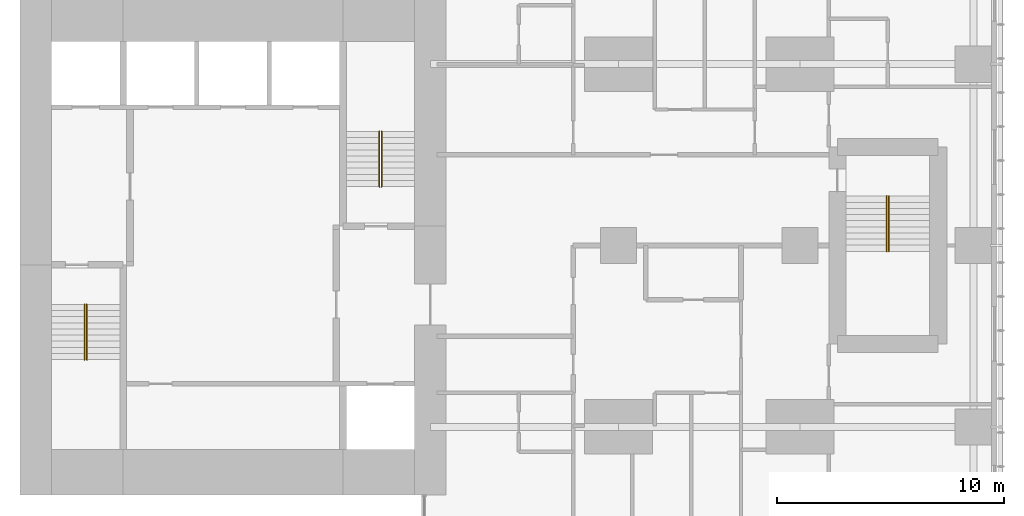
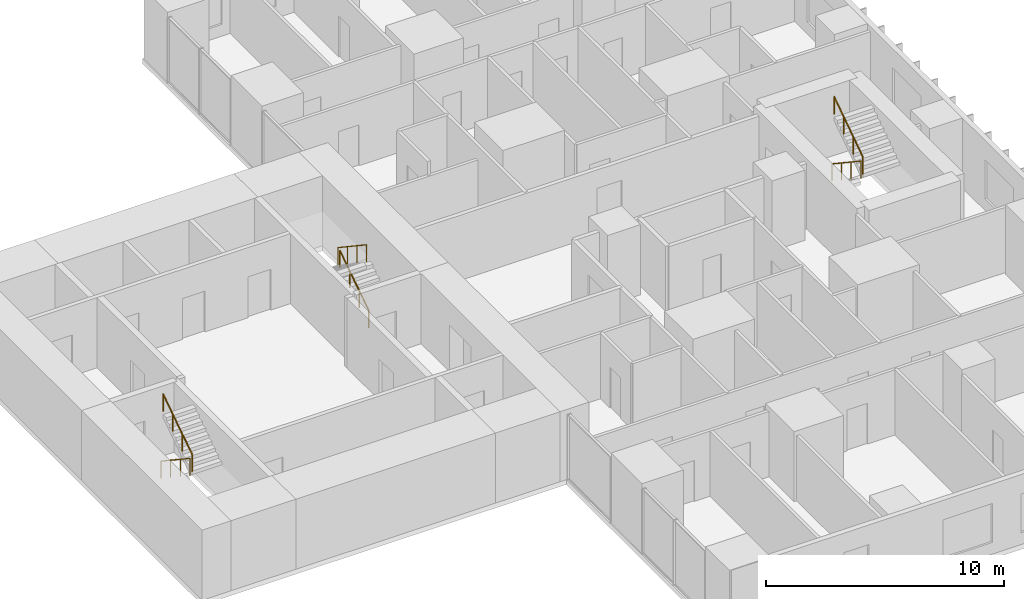
# One storey, part 12 of 12: 6 railings.
"""IFC4 building model written with IfcOpenShell, lengths in metres."""

from ifc_helpers import new_model, si_unit, direction, frame, origin, origin_2d, place, context, subcontext, project, spatial, circle, extrude, material, type_object, element, save


model = new_model("IFC4")

# Units and contexts
model_context = context("Model", 3, precision=1e-05, world=origin(), true_north=direction((0.0, 1.0)))
body_context = subcontext(model_context, "Body", "Model", "MODEL_VIEW")
ifc_project = project(units=[si_unit("LENGTHUNIT", "METRE"), si_unit("AREAUNIT", "SQUARE_METRE"), si_unit("VOLUMEUNIT", "CUBIC_METRE"), si_unit("PLANEANGLEUNIT", "RADIAN"), si_unit("MASSUNIT", "GRAM", prefix="KILO")], contexts=[model_context])

# Site, building, storey
site_placement = place(None, origin())
site = spatial("IfcSite", under=ifc_project, at=site_placement, CompositionType="ELEMENT")
building_placement = place(site_placement, origin())
building = spatial("IfcBuilding", under=site, at=building_placement, Name="Cleftline Residences", CompositionType="ELEMENT")
storey_placement = place(building_placement, frame((0.0, 0.0, 234.0)))
storey = spatial("IfcBuildingStorey", under=building, at=storey_placement, Name="L61", CompositionType="ELEMENT", Elevation=234.0)

# Railings
ifc_material = material(Name="Stainless steel", Category="steel")
railing_type = type_object("IfcRailingType", Name="HANDRAIL 900", PredefinedType="HANDRAIL", material=ifc_material)
railing_1_placement = place(storey_placement, frame((26.449951171875, 21.39990234375, 0.179931640625)))
element("IfcRailing", 1, at=railing_1_placement, inside=storey, type_object=railing_type, Name="Stair handrail", PredefinedType="HANDRAIL", context=body_context, shape_type="SweptSolid", body=[
    extrude(circle(Radius=0.02392578125, at=origin_2d()), frame((0.0, 0.0, 0.8759765625), z_axis=(0.0, -0.832024571796, 0.554738778101), x_axis=(1.0, 0.0, 0.0)), (0.0, 0.0, 1.0), 2.92041015625),
    extrude(circle(Radius=0.02099609375, at=origin_2d()), origin(), (0.0, 0.0, 1.0), 0.851806640625),
    extrude(circle(Radius=0.02099609375, at=origin_2d()), frame((0.0, -0.81005859375, 0.5400390625)), (0.0, 0.0, 1.0), 0.851806640625),
    extrude(circle(Radius=0.02099609375, at=origin_2d()), frame((0.0, -1.619873046875, 1.080078125)), (0.0, 0.0, 1.0), 0.851806640625),
    extrude(circle(Radius=0.02099609375, at=origin_2d()), frame((0.0, -2.429931640625, 1.6201171875)), (0.0, 0.0, 1.0), 0.851806640625),
])
for number, where, name in (
    (2, (26.550048828125, 18.969970703125, 1.97998046875), "Stair handrail"),
    (3, (39.550048828125, 26.60009765625, 0.179931640625), "Stair handrail"),
):
    element("IfcRailing", number, at=place(storey_placement, frame(where)), inside=storey, type_object=railing_type, Name=name, PredefinedType="HANDRAIL", context=body_context, shape_type="SweptSolid", body=[
        extrude(circle(Radius=0.02392578125, at=origin_2d()), frame((0.0, 0.0, 0.8759765625), z_axis=(0.0, 0.832024571796, 0.554738778101), x_axis=(-1.0, 0.0, 0.0)), (0.0, 0.0, 1.0), 2.92041015625),
        extrude(circle(Radius=0.02099609375, at=origin_2d()), origin(), (0.0, 0.0, 1.0), 0.851806640625),
        extrude(circle(Radius=0.02099609375, at=origin_2d()), frame((0.0, 0.81005859375, 0.5400390625)), (0.0, 0.0, 1.0), 0.851806640625),
        extrude(circle(Radius=0.02099609375, at=origin_2d()), frame((0.0, 1.619873046875, 1.080078125)), (0.0, 0.0, 1.0), 0.851806640625),
        extrude(circle(Radius=0.02099609375, at=origin_2d()), frame((0.0, 2.429931640625, 1.6201171875)), (0.0, 0.0, 1.0), 0.851806640625),
    ])
for number, where, name in (
    (4, (39.449951171875, 29.030029296875, 1.97998046875), "Stair handrail"),
    (5, (61.824951171875, 26.175048828125, 0.179931640625), "Stair handrail"),
):
    element("IfcRailing", number, at=place(storey_placement, frame(where)), inside=storey, type_object=railing_type, Name=name, PredefinedType="HANDRAIL", context=body_context, shape_type="SweptSolid", body=[
        extrude(circle(Radius=0.02392578125, at=origin_2d()), frame((0.0, 0.0, 0.8759765625), z_axis=(0.0, -0.832024571796, 0.554738778101), x_axis=(1.0, 0.0, 0.0)), (0.0, 0.0, 1.0), 2.92041015625),
        extrude(circle(Radius=0.02099609375, at=origin_2d()), origin(), (0.0, 0.0, 1.0), 0.851806640625),
        extrude(circle(Radius=0.02099609375, at=origin_2d()), frame((0.0, -0.81005859375, 0.5400390625)), (0.0, 0.0, 1.0), 0.851806640625),
        extrude(circle(Radius=0.02099609375, at=origin_2d()), frame((0.0, -1.619873046875, 1.080078125)), (0.0, 0.0, 1.0), 0.851806640625),
        extrude(circle(Radius=0.02099609375, at=origin_2d()), frame((0.0, -2.429931640625, 1.6201171875)), (0.0, 0.0, 1.0), 0.851806640625),
    ])
railing_2_placement = place(storey_placement, frame((61.925048828125, 23.7451171875, 1.97998046875)))
element("IfcRailing", 6, at=railing_2_placement, inside=storey, type_object=railing_type, Name="Stair handrail", PredefinedType="HANDRAIL", context=body_context, shape_type="SweptSolid", body=[
    extrude(circle(Radius=0.02392578125, at=origin_2d()), frame((0.0, 0.0, 0.8759765625), z_axis=(0.0, 0.832024571796, 0.554738778101), x_axis=(-1.0, 0.0, 0.0)), (0.0, 0.0, 1.0), 2.92041015625),
    extrude(circle(Radius=0.02099609375, at=origin_2d()), origin(), (0.0, 0.0, 1.0), 0.851806640625),
    extrude(circle(Radius=0.02099609375, at=origin_2d()), frame((0.0, 0.81005859375, 0.5400390625)), (0.0, 0.0, 1.0), 0.851806640625),
    extrude(circle(Radius=0.02099609375, at=origin_2d()), frame((0.0, 1.619873046875, 1.080078125)), (0.0, 0.0, 1.0), 0.851806640625),
    extrude(circle(Radius=0.02099609375, at=origin_2d()), frame((0.0, 2.429931640625, 1.6201171875)), (0.0, 0.0, 1.0), 0.851806640625),
])

save(model, "model.ifc")
